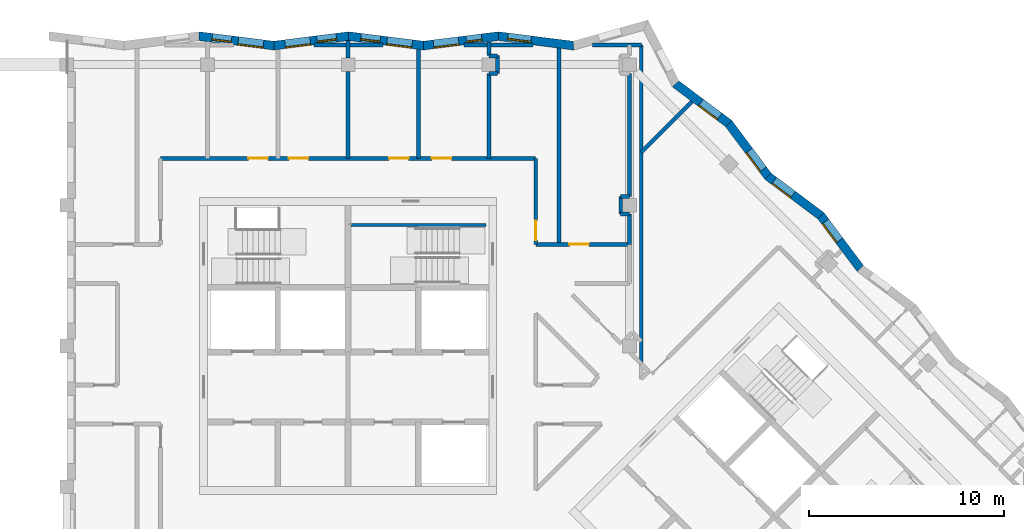
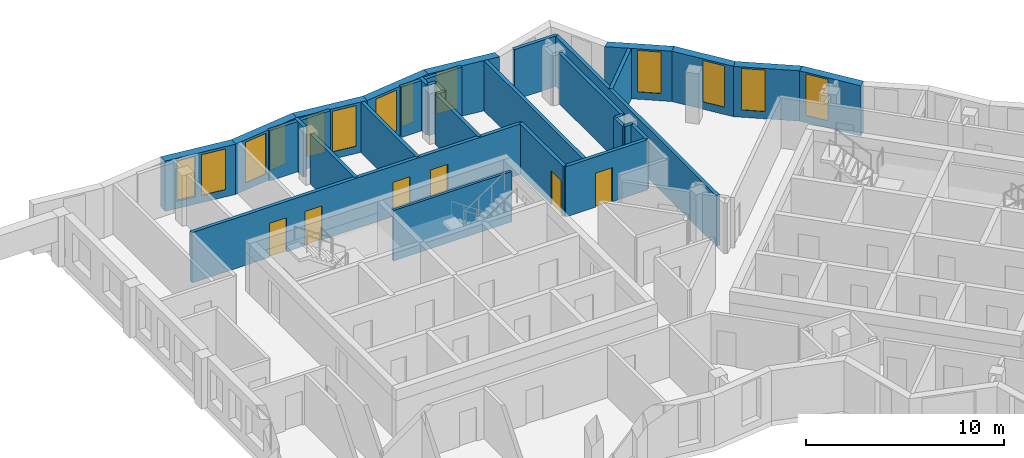
# One storey, part 6 of 13: 32 walls, 13 windows, 6 doors, 19 openings.
"""IFC4 building model written with IfcOpenShell, lengths in metres."""

import ifcopenshell
import ifcopenshell.guid

model = None  # the IFC model being written
_history = None  # IfcOwnerHistory: only IFC2X3 demands one
_inside = {}  # id of a spatial element -> (the spatial element, [elements in it])
_under = {}  # id of a project, library or spatial element -> (it, [spatial elements below it])
_declared = {}  # id of a project -> (the project, [libraries it declares])
_typed = {}  # id of a type object -> (the type object, [elements of that type])
_made_of = {}  # id of a material, layer set ... -> (it, [elements and type objects made of it])


def new_model(schema):
    """Start an empty IFC model of exactly this schema.

    Asked for "IFC4X3", IfcOpenShell would pick the latest addendum, in which some entities
    have other attributes; the version numbers below select the first issue.
    IFC2X3 requires an IfcOwnerHistory on every rooted entity: one is made here for all.
    """
    global model, _history
    if schema == "IFC4X3":
        model = ifcopenshell.file(schema_version=(4, 3, 0, 0))
    else:
        model = ifcopenshell.file(schema=schema)
    _inside.clear()
    _under.clear()
    _declared.clear()
    _typed.clear()
    _made_of.clear()
    _history = None
    if model.schema == "IFC2X3":
        org = make("IfcOrganization", Name="unknown")
        user = make(
            "IfcPersonAndOrganization",
            ThePerson=make("IfcPerson", FamilyName="unknown"),
            TheOrganization=org,
        )
        app = make(
            "IfcApplication",
            ApplicationDeveloper=org,
            Version="unknown",
            ApplicationFullName="unknown",
            ApplicationIdentifier="unknown",
        )
        _history = make(
            "IfcOwnerHistory",
            OwningUser=user,
            OwningApplication=app,
            ChangeAction="ADDED",
            CreationDate=0,
        )
    return model


def make(cls, **values):
    """One entity of the class cls with the attributes given. An attribute that is None is left unset."""
    return model.create_entity(
        cls, **{name: value for name, value in values.items() if value is not None}
    )


def rooted(cls, **values):
    """An entity with a GlobalId (a new one), such as an element, a storey or a relation."""
    return make(cls, GlobalId=ifcopenshell.guid.new(), OwnerHistory=_history, **values)


def si_unit(unit_type, name, prefix=None):
    """IfcSIUnit, for example si_unit("LENGTHUNIT", "METRE", prefix="MILLI")."""
    return make("IfcSIUnit", UnitType=unit_type, Prefix=prefix, Name=name)


def assignment(units):
    """IfcUnitAssignment: the units of a project."""
    return None if units is None else make("IfcUnitAssignment", Units=units)


def point(xyz):
    """IfcCartesianPoint."""
    return None if xyz is None else make("IfcCartesianPoint", Coordinates=xyz)


def direction(xyz):
    """IfcDirection."""
    return None if xyz is None else make("IfcDirection", DirectionRatios=xyz)


def frame(location, z_axis=None, x_axis=None):
    """IfcAxis2Placement3D, a coordinate frame: its origin and axes. An axis left out is left unset."""
    return make(
        "IfcAxis2Placement3D",
        Location=point(location),
        Axis=direction(z_axis),
        RefDirection=direction(x_axis),
    )


def frame_2d(location, x_axis=None):
    """IfcAxis2Placement2D, a coordinate frame in the plane: its origin and x axis."""
    return make(
        "IfcAxis2Placement2D", Location=point(location), RefDirection=direction(x_axis)
    )


def origin():
    """The frame at (0, 0, 0) with its axes left unset."""
    return frame((0.0, 0.0, 0.0))


def place(relative_to, where):
    """IfcLocalPlacement: puts the frame where relative to a parent placement (None: the world)."""
    return make(
        "IfcLocalPlacement", PlacementRelTo=relative_to, RelativePlacement=where
    )


def context(
    kind, dimensions, precision=None, world=None, true_north=None, identifier=None
):
    """IfcGeometricRepresentationContext, for example the 3D "Model" context."""
    return make(
        "IfcGeometricRepresentationContext",
        ContextIdentifier=identifier,
        ContextType=kind,
        CoordinateSpaceDimension=dimensions,
        Precision=precision,
        WorldCoordinateSystem=world,
        TrueNorth=true_north,
    )


def subcontext(parent, identifier, kind, view, scale=None):
    """IfcGeometricRepresentationSubContext, for example "Body" below "Model"."""
    return make(
        "IfcGeometricRepresentationSubContext",
        ContextIdentifier=identifier,
        ContextType=kind,
        ParentContext=parent,
        TargetScale=scale,
        TargetView=view,
    )


def project(units=None, contexts=None):
    """IfcProject with its units and contexts."""
    return rooted(
        "IfcProject",
        Name="project",
        RepresentationContexts=contexts,
        UnitsInContext=assignment(units),
    )


def spatial(cls, under=None, at=None, **own):
    """A site, building, storey or space (cls), placed at a placement, below another one or the project."""
    s = rooted(cls, ObjectPlacement=at, **own)
    if under is not None:
        _under.setdefault(under.id(), (under, []))[1].append(s)
    return s


def polyline(points):
    """IfcPolyline through the points."""
    return make("IfcPolyline", Points=[point(p) for p in points])


def profile(cls, at=None, kind="AREA", **sizes):
    """A parametric profile (cls). Its sizes go by their IFC names, for example OverallWidth=200.0."""
    return make(cls, ProfileType=kind, Position=at, **sizes)


def rectangle(**sizes):
    """IfcRectangleProfileDef."""
    return profile("IfcRectangleProfileDef", **sizes)


def outline(outer, holes=None, kind="AREA"):
    """IfcArbitraryClosedProfileDef: a profile drawn as a closed curve; with holes, ...WithVoids."""
    if holes is None:
        return make("IfcArbitraryClosedProfileDef", ProfileType=kind, OuterCurve=outer)
    return make(
        "IfcArbitraryProfileDefWithVoids",
        ProfileType=kind,
        OuterCurve=outer,
        InnerCurves=holes,
    )


def extrude(swept, where, along, depth):
    """IfcExtrudedAreaSolid: the profile swept, set in the frame where, extruded along a direction by depth."""
    return make(
        "IfcExtrudedAreaSolid",
        SweptArea=swept,
        Position=where,
        ExtrudedDirection=direction(along),
        Depth=depth,
    )


def shape(context_of_items, identifier, shape_type, items):
    """IfcShapeRepresentation: the items that make up one representation, for example the "Body"."""
    return make(
        "IfcShapeRepresentation",
        ContextOfItems=context_of_items,
        RepresentationIdentifier=identifier,
        RepresentationType=shape_type,
        Items=items,
    )


def material(Name=None, Category=None):
    """IfcMaterial."""
    return make("IfcMaterial", Name=Name, Category=Category)


def layer(
    of_material, thickness, ventilated=None, Name=None, Category=None, Priority=None
):
    """IfcMaterialLayer: one layer of a wall or slab, of a material (None: an air gap)."""
    return make(
        "IfcMaterialLayer",
        Material=of_material,
        LayerThickness=thickness,
        IsVentilated=ventilated,
        Name=Name,
        Category=Category,
        Priority=Priority,
    )


def layer_set(layers, Name=None):
    """IfcMaterialLayerSet."""
    return make("IfcMaterialLayerSet", MaterialLayers=layers, LayerSetName=Name)


def made_of(thing, what):
    """Note that an element or type object is made of a material, layer set ...; save() writes the relation."""
    if what is not None:
        _made_of.setdefault(what.id(), (what, []))[1].append(thing)
    return thing


def type_object(cls, material=None, **own):
    """A type object (cls), such as IfcWallType, which elements share."""
    return made_of(rooted(cls, **own), material)


def element(
    cls,
    number,
    at=None,
    inside=None,
    cuts=None,
    type_object=None,
    material=None,
    context=None,
    identifier="Body",
    shape_type=None,
    held_by="IfcProductDefinitionShape",
    body=None,
    shapes=None,
    **own,
):
    """One element of the class cls, such as IfcWall. Its Tag is "e" and its number.

    at: its placement. inside: the storey or other place that contains it. cuts: it is an
    opening in that element (IfcRelVoidsElement). A single representation is given by context,
    identifier, shape_type and body (its items); several are given by shapes. held_by: the class
    of the entity that holds the representations. save() writes the other relations.
    """
    e = rooted(cls, Tag="e%d" % number, ObjectPlacement=at, **own)
    if body is not None:
        shapes = [shape(context, identifier, shape_type, body)]
    if shapes is not None:
        e.Representation = make(held_by, Representations=shapes)
    if inside is not None:
        _inside.setdefault(inside.id(), (inside, []))[1].append(e)
    if cuts is not None:
        rooted(
            "IfcRelVoidsElement", RelatingBuildingElement=cuts, RelatedOpeningElement=e
        )
    if type_object is not None:
        _typed.setdefault(type_object.id(), (type_object, []))[1].append(e)
    return made_of(e, material)


def fill(opening, filler):
    """IfcRelFillsElement: the door or window that sits in an opening."""
    return rooted(
        "IfcRelFillsElement",
        RelatingOpeningElement=opening,
        RelatedBuildingElement=filler,
    )


def aggregate(whole, parts):
    """IfcRelAggregates: a whole, such as a stair, and the parts it consists of."""
    return rooted("IfcRelAggregates", RelatingObject=whole, RelatedObjects=parts)


def save(model, path):
    """Write the relations noted so far, then the file.

    IfcRelAggregates (storeys below a building ...), IfcRelContainedInSpatialStructure (elements
    in a storey), IfcRelDefinesByType, IfcRelAssociatesMaterial and IfcRelDeclares: one each for
    every whole, place, type object, material and project.
    """
    for whole, parts in _under.values():
        aggregate(whole, parts)
    for where, things in _inside.values():
        rooted(
            "IfcRelContainedInSpatialStructure",
            RelatedElements=things,
            RelatingStructure=where,
        )
    for kind, things in _typed.values():
        rooted("IfcRelDefinesByType", RelatedObjects=things, RelatingType=kind)
    for what, things in _made_of.values():
        rooted("IfcRelAssociatesMaterial", RelatedObjects=things, RelatingMaterial=what)
    for by, libraries in _declared.values():
        rooted("IfcRelDeclares", RelatingContext=by, RelatedDefinitions=libraries)
    model.write(path)


model = new_model("IFC4")

# Units and contexts
model_context = context("Model", 3, precision=1e-05, world=origin(), true_north=direction((0.0, 1.0)))
body_context = subcontext(model_context, "Body", "Model", "MODEL_VIEW")
ifc_project = project(units=[si_unit("LENGTHUNIT", "METRE"), si_unit("AREAUNIT", "SQUARE_METRE"), si_unit("VOLUMEUNIT", "CUBIC_METRE"), si_unit("PLANEANGLEUNIT", "RADIAN"), si_unit("MASSUNIT", "GRAM", prefix="KILO")], contexts=[model_context])

# Site, building, storey
site_placement = place(None, origin())
site = spatial("IfcSite", under=ifc_project, at=site_placement, CompositionType="ELEMENT")
building_placement = place(site_placement, origin())
building = spatial("IfcBuilding", under=site, at=building_placement, Name="Windrow Commons", CompositionType="ELEMENT")
storey_placement = place(building_placement, frame((0.0, 0.0, 264.2)))
storey = spatial("IfcBuildingStorey", under=building, at=storey_placement, Name="L72", CompositionType="ELEMENT", Elevation=264.2)

# Wall, opening, window
ifc_material_1 = material(Name="Brick masonry, red clay brick", Category="masonry")
ifc_layer_1 = layer(ifc_material_1, 0.45)
ifc_layer_set_1 = layer_set([ifc_layer_1], Name="Brick facade wall 450")
wall_type_1 = type_object("IfcWallType", Name="Brick facade wall 450", PredefinedType="SOLIDWALL", material=ifc_layer_set_1)
wall_1_placement = place(storey_placement, frame((91.0087, 61.5669, 0.0), z_axis=(0.0, 0.0, 1.0), x_axis=(-0.598678943, 0.8009890906, 0.0)))
wall_1 = element("IfcWall", 1, at=wall_1_placement, inside=storey, type_object=wall_type_1, Name="Brick facade wall L72 12", PredefinedType="SOLIDWALL", context=body_context, shape_type="SweptSolid", body=[
    extrude(outline(polyline([(0.0325, -0.225), (3.4017, -0.225), (3.3367, 0.225), (-0.0325, 0.225), (0.0325, -0.225)])), origin(), (0.0, 0.0, 1.0), 3.1),
])
opening_1_placement = place(wall_1_placement, frame((1.7889, 0.0, 0.45)))
opening_1 = element("IfcOpeningElement", 2, at=opening_1_placement, cuts=wall_1, Name="Opening W7F", PredefinedType="OPENING", context=body_context, shape_type="SweptSolid", body=[
    extrude(rectangle(XDim=1.2, YDim=2.55, at=frame_2d((0.6, 1.275))), frame((0.0, 0.235, 0.0), z_axis=(0.0, -1.0, 0.0), x_axis=(1.0, 0.0, 0.0)), (0.0, 0.0, 1.0), 0.47),
])
ifc_material_2 = material(Name="Clear float glass in anodised aluminium frame", Category="aluminium")
window_type_1 = type_object("IfcWindowType", Name="Window W7 notch 1200x2550", PartitioningType="SINGLE_PANEL", PredefinedType="WINDOW", material=ifc_material_2)
window_1_placement = place(opening_1_placement, origin())
window_1 = element("IfcWindow", 3, at=window_1_placement, inside=storey, type_object=window_type_1, Name="Window L72 12.1", OverallHeight=2.55, OverallWidth=1.2, PartitioningType="SINGLE_PANEL", PredefinedType="WINDOW", context=body_context, shape_type="SweptSolid", body=[
    extrude(rectangle(XDim=1.2, YDim=2.55, at=frame_2d((0.6, 1.275))), frame((0.0, 0.205, 0.0), z_axis=(0.0, -1.0, 0.0), x_axis=(1.0, 0.0, 0.0)), (0.0, 0.0, 1.0), 0.06),
])
fill(opening_1, window_1)

wall_2_placement = place(storey_placement, frame((88.9917, 64.2655, 0.0), z_axis=(0.0, 0.0, 1.0), x_axis=(-0.8009854957, 0.5986837527, 0.0)))
wall_2 = element("IfcWall", 4, at=wall_2_placement, inside=storey, type_object=wall_type_1, Name="Brick facade wall L72 13", PredefinedType="SOLIDWALL", context=body_context, shape_type="SweptSolid", body=[
    extrude(outline(polyline([(-0.0325, -0.225), (3.3367, -0.225), (3.4017, 0.225), (0.0325, 0.225), (-0.0325, -0.225)])), origin(), (0.0, 0.0, 1.0), 3.1),
])
opening_2_placement = place(wall_2_placement, frame((1.7893, 0.0, 0.45)))
opening_2 = element("IfcOpeningElement", 5, at=opening_2_placement, cuts=wall_2, Name="Opening W7F", PredefinedType="OPENING", context=body_context, shape_type="SweptSolid", body=[
    extrude(rectangle(XDim=1.2, YDim=2.55, at=frame_2d((0.6, 1.275))), frame((0.0, 0.235, 0.0), z_axis=(0.0, -1.0, 0.0), x_axis=(1.0, 0.0, 0.0)), (0.0, 0.0, 1.0), 0.47),
])
window_2_placement = place(opening_2_placement, origin())
window_2 = element("IfcWindow", 6, at=window_2_placement, inside=storey, type_object=window_type_1, Name="Window L72 13.1", OverallHeight=2.55, OverallWidth=1.2, PartitioningType="SINGLE_PANEL", PredefinedType="WINDOW", context=body_context, shape_type="SweptSolid", body=[
    extrude(rectangle(XDim=1.2, YDim=2.55, at=frame_2d((0.6, 1.275))), frame((0.0, 0.205, 0.0), z_axis=(0.0, -1.0, 0.0), x_axis=(1.0, 0.0, 0.0)), (0.0, 0.0, 1.0), 0.06),
])
fill(opening_2, window_2)

wall_3_placement = place(storey_placement, frame((86.293, 66.2826, 0.0), z_axis=(0.0, 0.0, 1.0), x_axis=(-0.5986647099, 0.8009997286, 0.0)))
wall_3 = element("IfcWall", 7, at=wall_3_placement, inside=storey, type_object=wall_type_1, Name="Brick facade wall L72 14", PredefinedType="SOLIDWALL", context=body_context, shape_type="SweptSolid", body=[
    extrude(outline(polyline([(0.0325, -0.225), (3.4017, -0.225), (3.3367, 0.225), (-0.0325, 0.225), (0.0325, -0.225)])), origin(), (0.0, 0.0, 1.0), 3.1),
])
opening_3_placement = place(wall_3_placement, frame((0.4388, 0.0, 0.45)))
opening_3 = element("IfcOpeningElement", 8, at=opening_3_placement, cuts=wall_3, Name="Opening W7F", PredefinedType="OPENING", context=body_context, shape_type="SweptSolid", body=[
    extrude(rectangle(XDim=1.2, YDim=2.55, at=frame_2d((0.6, 1.275))), frame((0.0, 0.235, 0.0), z_axis=(0.0, -1.0, 0.0), x_axis=(1.0, 0.0, 0.0)), (0.0, 0.0, 1.0), 0.47),
])
window_3_placement = place(opening_3_placement, origin())
window_3 = element("IfcWindow", 9, at=window_3_placement, inside=storey, type_object=window_type_1, Name="Window L72 14.1", OverallHeight=2.55, OverallWidth=1.2, PartitioningType="SINGLE_PANEL", PredefinedType="WINDOW", context=body_context, shape_type="SweptSolid", body=[
    extrude(rectangle(XDim=1.2, YDim=2.55, at=frame_2d((0.6, 1.275))), frame((0.0, 0.205, 0.0), z_axis=(0.0, -1.0, 0.0), x_axis=(1.0, 0.0, 0.0)), (0.0, 0.0, 1.0), 0.06),
])
fill(opening_3, window_3)

wall_4_placement = place(storey_placement, frame((84.276, 68.9813, 0.0), z_axis=(0.0, 0.0, 1.0), x_axis=(-0.8009974095, 0.5986678127, 0.0)))
wall_4 = element("IfcWall", 10, at=wall_4_placement, inside=storey, type_object=wall_type_1, Name="Brick facade wall L72 15", PredefinedType="SOLIDWALL", context=body_context, shape_type="SweptSolid", body=[
    extrude(outline(polyline([(-0.0325, -0.225), (3.3367, -0.225), (3.4414, 0.225), (0.0325, 0.225), (-0.0325, -0.225)])), origin(), (0.0, 0.0, 1.0), 3.1),
])
opening_4_placement = place(wall_4_placement, frame((0.5892, 0.0, 0.45)))
opening_4 = element("IfcOpeningElement", 11, at=opening_4_placement, cuts=wall_4, Name="Opening W7F", PredefinedType="OPENING", context=body_context, shape_type="SweptSolid", body=[
    extrude(rectangle(XDim=1.2, YDim=2.55, at=frame_2d((0.6, 1.275))), frame((0.0, 0.235, 0.0), z_axis=(0.0, -1.0, 0.0), x_axis=(1.0, 0.0, 0.0)), (0.0, 0.0, 1.0), 0.47),
])
window_4_placement = place(opening_4_placement, origin())
window_4 = element("IfcWindow", 12, at=window_4_placement, inside=storey, type_object=window_type_1, Name="Window L72 15.1", OverallHeight=2.55, OverallWidth=1.2, PartitioningType="SINGLE_PANEL", PredefinedType="WINDOW", context=body_context, shape_type="SweptSolid", body=[
    extrude(rectangle(XDim=1.2, YDim=2.55, at=frame_2d((0.6, 1.275))), frame((0.0, 0.205, 0.0), z_axis=(0.0, -1.0, 0.0), x_axis=(1.0, 0.0, 0.0)), (0.0, 0.0, 1.0), 0.06),
])
fill(opening_4, window_4)

wall_5_placement = place(storey_placement, frame((76.332, 72.9711, 0.0), z_axis=(0.0, 0.0, 1.0), x_axis=(-0.9921783841, 0.1248280981, 0.0)))
wall_5 = element("IfcWall", 13, at=wall_5_placement, inside=storey, type_object=wall_type_1, Name="Brick facade wall L72 18", PredefinedType="SOLIDWALL", context=body_context, shape_type="SweptSolid", body=[
    extrude(outline(polyline([(0.0457, -0.225), (3.9064, -0.225), (3.8498, 0.225), (-0.0457, 0.225), (0.0457, -0.225)])), origin(), (0.0, 0.0, 1.0), 3.1),
])
opening_5_placement = place(wall_5_placement, frame((2.1938, 0.0, 0.45)))
opening_5 = element("IfcOpeningElement", 14, at=opening_5_placement, cuts=wall_5, Name="Opening W7F", PredefinedType="OPENING", context=body_context, shape_type="SweptSolid", body=[
    extrude(rectangle(XDim=1.2, YDim=2.55, at=frame_2d((0.6, 1.275))), frame((0.0, 0.235, 0.0), z_axis=(0.0, -1.0, 0.0), x_axis=(1.0, 0.0, 0.0)), (0.0, 0.0, 1.0), 0.47),
])
window_5_placement = place(opening_5_placement, origin())
window_5 = element("IfcWindow", 15, at=window_5_placement, inside=storey, type_object=window_type_1, Name="Window L72 18.1", OverallHeight=2.55, OverallWidth=1.2, PartitioningType="SINGLE_PANEL", PredefinedType="WINDOW", context=body_context, shape_type="SweptSolid", body=[
    extrude(rectangle(XDim=1.2, YDim=2.55, at=frame_2d((0.6, 1.275))), frame((0.0, 0.115, 0.0), z_axis=(0.0, -1.0, 0.0), x_axis=(1.0, 0.0, 0.0)), (0.0, 0.0, 1.0), 0.06),
])
fill(opening_5, window_5)

# Wall, openings, windows
wall_6_placement = place(storey_placement, frame((72.4842, 73.4552, 0.0), z_axis=(0.0, 0.0, 1.0), x_axis=(-0.9921759282, -0.1248476171, 0.0)))
wall_6 = element("IfcWall", 16, at=wall_6_placement, inside=storey, type_object=wall_type_1, Name="Brick facade wall L72 19", PredefinedType="SOLIDWALL", context=body_context, shape_type="SweptSolid", body=[
    extrude(outline(polyline([(-0.0283, -0.225), (3.8324, -0.225), (3.889, 0.225), (0.0283, 0.225), (-0.0283, -0.225)])), origin(), (0.0, 0.0, 1.0), 3.1),
])
opening_6_placement = place(wall_6_placement, frame((2.0415, 0.0, 0.45)))
opening_6 = element("IfcOpeningElement", 17, at=opening_6_placement, cuts=wall_6, Name="Opening W1Q", PredefinedType="OPENING", context=body_context, shape_type="SweptSolid", body=[
    extrude(rectangle(XDim=1.3, YDim=2.5, at=frame_2d((0.65, 1.25))), frame((0.0, 0.235, 0.0), z_axis=(0.0, -1.0, 0.0), x_axis=(1.0, 0.0, 0.0)), (0.0, 0.0, 1.0), 0.47),
])
opening_7_placement = place(wall_6_placement, frame((0.8487, 0.0, 0.45)))
opening_7 = element("IfcOpeningElement", 18, at=opening_7_placement, cuts=wall_6, Name="Opening W1N", PredefinedType="OPENING", context=body_context, shape_type="SweptSolid", body=[
    extrude(rectangle(XDim=0.8, YDim=2.5, at=frame_2d((0.4, 1.25))), frame((0.0, 0.235, 0.0), z_axis=(0.0, -1.0, 0.0), x_axis=(1.0, 0.0, 0.0)), (0.0, 0.0, 1.0), 0.47),
])
ifc_material_3 = material(Name="Clear float glass in anodised aluminium frame", Category="aluminium")
window_type_2 = type_object("IfcWindowType", Name="Window W1N slit 800x2500", PartitioningType="SINGLE_PANEL", PredefinedType="WINDOW", material=ifc_material_3)
window_6_placement = place(opening_7_placement, origin())
window_6 = element("IfcWindow", 19, at=window_6_placement, inside=storey, type_object=window_type_2, Name="Window L72 19.1AA", OverallHeight=2.5, OverallWidth=0.8, PartitioningType="SINGLE_PANEL", PredefinedType="WINDOW", context=body_context, shape_type="SweptSolid", body=[
    extrude(rectangle(XDim=0.8, YDim=2.5, at=frame_2d((0.4, 1.25))), frame((0.0, 0.115, 0.0), z_axis=(0.0, -1.0, 0.0), x_axis=(1.0, 0.0, 0.0)), (0.0, 0.0, 1.0), 0.06),
])
fill(opening_7, window_6)
ifc_material_4 = material(Name="Clear float glass in anodised aluminium frame", Category="aluminium")
window_type_3 = type_object("IfcWindowType", Name="Window W1Q pair 1300x2500", PartitioningType="SINGLE_PANEL", PredefinedType="WINDOW", material=ifc_material_4)
window_7_placement = place(opening_6_placement, origin())
window_7 = element("IfcWindow", 20, at=window_7_placement, inside=storey, type_object=window_type_3, Name="Window L72 19.1B", OverallHeight=2.5, OverallWidth=1.3, PartitioningType="SINGLE_PANEL", PredefinedType="WINDOW", context=body_context, shape_type="SweptSolid", body=[
    extrude(rectangle(XDim=1.3, YDim=2.5, at=frame_2d((0.65, 1.25))), frame((0.0, 0.205, 0.0), z_axis=(0.0, -1.0, 0.0), x_axis=(1.0, 0.0, 0.0)), (0.0, 0.0, 1.0), 0.06),
])
fill(opening_6, window_7)

wall_7_placement = place(storey_placement, frame((68.6537, 72.9732, 0.0), z_axis=(0.0, 0.0, 1.0), x_axis=(-0.9921759282, 0.1248476171, 0.0)))
wall_7 = element("IfcWall", 21, at=wall_7_placement, inside=storey, type_object=wall_type_1, Name="Brick facade wall L72 20", PredefinedType="SOLIDWALL", context=body_context, shape_type="SweptSolid", body=[
    extrude(outline(polyline([(0.0283, -0.225), (3.889, -0.225), (3.8324, 0.225), (-0.0283, 0.225), (0.0283, -0.225)])), origin(), (0.0, 0.0, 1.0), 3.1),
])
opening_8_placement = place(wall_7_placement, frame((0.5842, 0.0, 0.45)))
opening_8 = element("IfcOpeningElement", 22, at=opening_8_placement, cuts=wall_7, Name="Opening W1Q", PredefinedType="OPENING", context=body_context, shape_type="SweptSolid", body=[
    extrude(rectangle(XDim=1.3, YDim=2.5, at=frame_2d((0.65, 1.25))), frame((0.0, 0.235, 0.0), z_axis=(0.0, -1.0, 0.0), x_axis=(1.0, 0.0, 0.0)), (0.0, 0.0, 1.0), 0.47),
])
opening_9_placement = place(wall_7_placement, frame((2.2342, 0.0, 0.45)))
opening_9 = element("IfcOpeningElement", 23, at=opening_9_placement, cuts=wall_7, Name="Opening W1S", PredefinedType="OPENING", context=body_context, shape_type="SweptSolid", body=[
    extrude(rectangle(XDim=1.0, YDim=2.5, at=frame_2d((0.5, 1.25))), frame((0.0, 0.235, 0.0), z_axis=(0.0, -1.0, 0.0), x_axis=(1.0, 0.0, 0.0)), (0.0, 0.0, 1.0), 0.47),
])
window_8_placement = place(opening_8_placement, origin())
window_8 = element("IfcWindow", 24, at=window_8_placement, inside=storey, type_object=window_type_3, Name="Window L72 20.1A", OverallHeight=2.5, OverallWidth=1.3, PartitioningType="SINGLE_PANEL", PredefinedType="WINDOW", context=body_context, shape_type="SweptSolid", body=[
    extrude(rectangle(XDim=1.3, YDim=2.5, at=frame_2d((0.65, 1.25))), frame((0.0, 0.205, 0.0), z_axis=(0.0, -1.0, 0.0), x_axis=(1.0, 0.0, 0.0)), (0.0, 0.0, 1.0), 0.06),
])
fill(opening_8, window_8)
ifc_material_5 = material(Name="Clear float glass in anodised aluminium frame", Category="aluminium")
window_type_4 = type_object("IfcWindowType", Name="Window W1S slit 1000x2500", PartitioningType="SINGLE_PANEL", PredefinedType="WINDOW", material=ifc_material_5)
window_9_placement = place(opening_9_placement, origin())
window_9 = element("IfcWindow", 25, at=window_9_placement, inside=storey, type_object=window_type_4, Name="Window L72 20.1B", OverallHeight=2.5, OverallWidth=1.0, PartitioningType="SINGLE_PANEL", PredefinedType="WINDOW", context=body_context, shape_type="SweptSolid", body=[
    extrude(rectangle(XDim=1.0, YDim=2.5, at=frame_2d((0.5, 1.25))), frame((0.0, 0.115, 0.0), z_axis=(0.0, -1.0, 0.0), x_axis=(1.0, 0.0, 0.0)), (0.0, 0.0, 1.0), 0.06),
])
fill(opening_9, window_9)

wall_8_placement = place(storey_placement, frame((64.8232, 73.4552, 0.0), z_axis=(0.0, 0.0, 1.0), x_axis=(-0.9921759282, -0.1248476171, 0.0)))
wall_8 = element("IfcWall", 26, at=wall_8_placement, inside=storey, type_object=wall_type_1, Name="Brick facade wall L72 21", PredefinedType="SOLIDWALL", context=body_context, shape_type="SweptSolid", body=[
    extrude(outline(polyline([(-0.0283, -0.225), (3.8324, -0.225), (3.889, 0.225), (0.0283, 0.225), (-0.0283, -0.225)])), origin(), (0.0, 0.0, 1.0), 3.1),
])
opening_10_placement = place(wall_8_placement, frame((0.6265, 0.0, 0.45)))
opening_10 = element("IfcOpeningElement", 27, at=opening_10_placement, cuts=wall_8, Name="Opening W1S", PredefinedType="OPENING", context=body_context, shape_type="SweptSolid", body=[
    extrude(rectangle(XDim=1.0, YDim=2.5, at=frame_2d((0.5, 1.25))), frame((0.0, 0.235, 0.0), z_axis=(0.0, -1.0, 0.0), x_axis=(1.0, 0.0, 0.0)), (0.0, 0.0, 1.0), 0.47),
])
opening_11_placement = place(wall_8_placement, frame((1.9765, 0.0, 0.45)))
opening_11 = element("IfcOpeningElement", 28, at=opening_11_placement, cuts=wall_8, Name="Opening W1Q", PredefinedType="OPENING", context=body_context, shape_type="SweptSolid", body=[
    extrude(rectangle(XDim=1.3, YDim=2.5, at=frame_2d((0.65, 1.25))), frame((0.0, 0.235, 0.0), z_axis=(0.0, -1.0, 0.0), x_axis=(1.0, 0.0, 0.0)), (0.0, 0.0, 1.0), 0.47),
])
window_10_placement = place(opening_11_placement, origin())
window_10 = element("IfcWindow", 29, at=window_10_placement, inside=storey, type_object=window_type_3, Name="Window L72 21.1B", OverallHeight=2.5, OverallWidth=1.3, PartitioningType="SINGLE_PANEL", PredefinedType="WINDOW", context=body_context, shape_type="SweptSolid", body=[
    extrude(rectangle(XDim=1.3, YDim=2.5, at=frame_2d((0.65, 1.25))), frame((0.0, 0.205, 0.0), z_axis=(0.0, -1.0, 0.0), x_axis=(1.0, 0.0, 0.0)), (0.0, 0.0, 1.0), 0.06),
])
fill(opening_11, window_10)
window_11_placement = place(opening_10_placement, origin())
window_11 = element("IfcWindow", 30, at=window_11_placement, inside=storey, type_object=window_type_4, Name="Window L72 21.1A", OverallHeight=2.5, OverallWidth=1.0, PartitioningType="SINGLE_PANEL", PredefinedType="WINDOW", context=body_context, shape_type="SweptSolid", body=[
    extrude(rectangle(XDim=1.0, YDim=2.5, at=frame_2d((0.5, 1.25))), frame((0.0, 0.115, 0.0), z_axis=(0.0, -1.0, 0.0), x_axis=(1.0, 0.0, 0.0)), (0.0, 0.0, 1.0), 0.06),
])
fill(opening_10, window_11)

wall_9_placement = place(storey_placement, frame((60.9927, 72.9732, 0.0), z_axis=(0.0, 0.0, 1.0), x_axis=(-0.9921759282, 0.1248476171, 0.0)))
wall_9 = element("IfcWall", 31, at=wall_9_placement, inside=storey, type_object=wall_type_1, Name="Brick facade wall L72 22", PredefinedType="SOLIDWALL", context=body_context, shape_type="SweptSolid", body=[
    extrude(outline(polyline([(0.0283, -0.225), (3.889, -0.225), (3.8324, 0.225), (-0.0283, 0.225), (0.0283, -0.225)])), origin(), (0.0, 0.0, 1.0), 3.1),
])
opening_12_placement = place(wall_9_placement, frame((0.5309, 0.0, 0.45)))
opening_12 = element("IfcOpeningElement", 32, at=opening_12_placement, cuts=wall_9, Name="Opening W1Q", PredefinedType="OPENING", context=body_context, shape_type="SweptSolid", body=[
    extrude(rectangle(XDim=1.3, YDim=2.5, at=frame_2d((0.65, 1.25))), frame((0.0, 0.235, 0.0), z_axis=(0.0, -1.0, 0.0), x_axis=(1.0, 0.0, 0.0)), (0.0, 0.0, 1.0), 0.47),
])
opening_13_placement = place(wall_9_placement, frame((2.1809, 0.0, 0.45)))
opening_13 = element("IfcOpeningElement", 33, at=opening_13_placement, cuts=wall_9, Name="Opening W1S", PredefinedType="OPENING", context=body_context, shape_type="SweptSolid", body=[
    extrude(rectangle(XDim=1.0, YDim=2.5, at=frame_2d((0.5, 1.25))), frame((0.0, 0.235, 0.0), z_axis=(0.0, -1.0, 0.0), x_axis=(1.0, 0.0, 0.0)), (0.0, 0.0, 1.0), 0.47),
])
window_12_placement = place(opening_12_placement, origin())
window_12 = element("IfcWindow", 34, at=window_12_placement, inside=storey, type_object=window_type_3, Name="Window L72 22.1A", OverallHeight=2.5, OverallWidth=1.3, PartitioningType="SINGLE_PANEL", PredefinedType="WINDOW", context=body_context, shape_type="SweptSolid", body=[
    extrude(rectangle(XDim=1.3, YDim=2.5, at=frame_2d((0.65, 1.25))), frame((0.0, 0.205, 0.0), z_axis=(0.0, -1.0, 0.0), x_axis=(1.0, 0.0, 0.0)), (0.0, 0.0, 1.0), 0.06),
])
fill(opening_12, window_12)
window_13_placement = place(opening_13_placement, origin())
window_13 = element("IfcWindow", 35, at=window_13_placement, inside=storey, type_object=window_type_4, Name="Window L72 22.1B", OverallHeight=2.5, OverallWidth=1.0, PartitioningType="SINGLE_PANEL", PredefinedType="WINDOW", context=body_context, shape_type="SweptSolid", body=[
    extrude(rectangle(XDim=1.0, YDim=2.5, at=frame_2d((0.5, 1.25))), frame((0.0, 0.115, 0.0), z_axis=(0.0, -1.0, 0.0), x_axis=(1.0, 0.0, 0.0)), (0.0, 0.0, 1.0), 0.06),
])
fill(opening_13, window_13)

# Wall, openings, doors
ifc_material_6 = material(Name="Blockwork partition", Category="masonry")
ifc_layer_2 = layer(ifc_material_6, 0.2)
ifc_layer_set_2 = layer_set([ifc_layer_2], Name="IW-CORRIDOR-200")
wall_type_2 = type_object("IfcWallType", Name="IW-CORRIDOR-200", PredefinedType="PARTITIONING", material=ifc_layer_set_2)
wall_10_placement = place(storey_placement, frame((55.2, 67.2, 0.0), z_axis=(0.0, 0.0, 1.0), x_axis=(1.0, 0.0, 0.0)))
wall_10 = element("IfcWall", 36, at=wall_10_placement, inside=storey, type_object=wall_type_2, Name="W-L72-W000", PredefinedType="PARTITIONING", context=body_context, shape_type="SweptSolid", body=[
    extrude(rectangle(XDim=19.2, YDim=0.2, at=frame_2d((9.6, 0.0))), origin(), (0.0, 0.0, 1.0), 3.1),
])
opening_14_placement = place(wall_10_placement, frame((4.4925, 0.0, 0.0)))
opening_14 = element("IfcOpeningElement", 37, at=opening_14_placement, cuts=wall_10, Name="Opening D310F", PredefinedType="OPENING", context=body_context, shape_type="SweptSolid", body=[
    extrude(rectangle(XDim=1.0, YDim=2.1, at=frame_2d((0.5, 1.05))), frame((0.0, 0.11, 0.0), z_axis=(0.0, -1.0, 0.0), x_axis=(1.0, 0.0, 0.0)), (0.0, 0.0, 1.0), 0.22),
])
opening_15_placement = place(wall_10_placement, frame((6.5675, 0.0, 0.0)))
opening_15 = element("IfcOpeningElement", 38, at=opening_15_placement, cuts=wall_10, Name="Opening D310F", PredefinedType="OPENING", context=body_context, shape_type="SweptSolid", body=[
    extrude(rectangle(XDim=1.0, YDim=2.1, at=frame_2d((0.5, 1.05))), frame((0.0, 0.11, 0.0), z_axis=(0.0, -1.0, 0.0), x_axis=(1.0, 0.0, 0.0)), (0.0, 0.0, 1.0), 0.22),
])
opening_16_placement = place(wall_10_placement, frame((11.6925, 0.0, 0.0)))
opening_16 = element("IfcOpeningElement", 39, at=opening_16_placement, cuts=wall_10, Name="Opening D310F", PredefinedType="OPENING", context=body_context, shape_type="SweptSolid", body=[
    extrude(rectangle(XDim=1.0, YDim=2.1, at=frame_2d((0.5, 1.05))), frame((0.0, 0.11, 0.0), z_axis=(0.0, -1.0, 0.0), x_axis=(1.0, 0.0, 0.0)), (0.0, 0.0, 1.0), 0.22),
])
opening_17_placement = place(wall_10_placement, frame((13.88, 0.0, 0.0)))
opening_17 = element("IfcOpeningElement", 40, at=opening_17_placement, cuts=wall_10, Name="Opening D310F", PredefinedType="OPENING", context=body_context, shape_type="SweptSolid", body=[
    extrude(rectangle(XDim=1.0, YDim=2.1, at=frame_2d((0.5, 1.05))), frame((0.0, 0.11, 0.0), z_axis=(0.0, -1.0, 0.0), x_axis=(1.0, 0.0, 0.0)), (0.0, 0.0, 1.0), 0.22),
])
ifc_material_7 = material(Name="Timber door leaf", Category="wood")
door_type = type_object("IfcDoorType", Name="DT-AMENITY-1000", OperationType="SINGLE_SWING_LEFT", PredefinedType="DOOR", material=ifc_material_7)
door_1_placement = place(opening_14_placement, origin())
door_1 = element("IfcDoor", 41, at=door_1_placement, inside=storey, type_object=door_type, Name="D-L72-D013", OperationType="SINGLE_SWING_RIGHT", OverallHeight=2.1, OverallWidth=1.0, PredefinedType="DOOR", context=body_context, shape_type="SweptSolid", body=[
    extrude(rectangle(XDim=1.0, YDim=2.1, at=frame_2d((0.5, 1.05))), frame((0.0, 0.025, 0.0), z_axis=(0.0, -1.0, 0.0), x_axis=(1.0, 0.0, 0.0)), (0.0, 0.0, 1.0), 0.05),
])
fill(opening_14, door_1)
door_2_placement = place(opening_15_placement, origin())
door_2 = element("IfcDoor", 42, at=door_2_placement, inside=storey, type_object=door_type, Name="D-L72-D014", OperationType="SINGLE_SWING_LEFT", OverallHeight=2.1, OverallWidth=1.0, PredefinedType="DOOR", context=body_context, shape_type="SweptSolid", body=[
    extrude(rectangle(XDim=1.0, YDim=2.1, at=frame_2d((0.5, 1.05))), frame((0.0, 0.025, 0.0), z_axis=(0.0, -1.0, 0.0), x_axis=(1.0, 0.0, 0.0)), (0.0, 0.0, 1.0), 0.05),
])
fill(opening_15, door_2)
door_3_placement = place(opening_16_placement, origin())
door_3 = element("IfcDoor", 43, at=door_3_placement, inside=storey, type_object=door_type, Name="D-L72-D015", OperationType="SINGLE_SWING_RIGHT", OverallHeight=2.1, OverallWidth=1.0, PredefinedType="DOOR", context=body_context, shape_type="SweptSolid", body=[
    extrude(rectangle(XDim=1.0, YDim=2.1, at=frame_2d((0.5, 1.05))), frame((0.0, 0.025, 0.0), z_axis=(0.0, -1.0, 0.0), x_axis=(1.0, 0.0, 0.0)), (0.0, 0.0, 1.0), 0.05),
])
fill(opening_16, door_3)
door_4_placement = place(opening_17_placement, origin())
door_4 = element("IfcDoor", 44, at=door_4_placement, inside=storey, type_object=door_type, Name="D-L72-D016", OperationType="SINGLE_SWING_LEFT", OverallHeight=2.1, OverallWidth=1.0, PredefinedType="DOOR", context=body_context, shape_type="SweptSolid", body=[
    extrude(rectangle(XDim=1.0, YDim=2.1, at=frame_2d((0.5, 1.05))), frame((0.0, 0.025, 0.0), z_axis=(0.0, -1.0, 0.0), x_axis=(1.0, 0.0, 0.0)), (0.0, 0.0, 1.0), 0.05),
])
fill(opening_17, door_4)

# Wall, opening, door
wall_11_placement = place(storey_placement, frame((74.402, 62.8, 0.0), z_axis=(0.0, 0.0, 1.0), x_axis=(1.0, 0.0, 0.0)))
wall_11 = element("IfcWall", 45, at=wall_11_placement, inside=storey, type_object=wall_type_2, Name="W-L72-W025", PredefinedType="PARTITIONING", context=body_context, shape_type="SweptSolid", body=[
    extrude(rectangle(XDim=4.798, YDim=0.2, at=frame_2d((2.399, 0.0))), origin(), (0.0, 0.0, 1.0), 3.1),
])
opening_18_placement = place(wall_11_placement, frame((1.723, 0.0, 0.0)))
opening_18 = element("IfcOpeningElement", 46, at=opening_18_placement, cuts=wall_11, Name="Opening D310F", PredefinedType="OPENING", context=body_context, shape_type="SweptSolid", body=[
    extrude(rectangle(XDim=1.0, YDim=2.1, at=frame_2d((0.5, 1.05))), frame((0.0, 0.11, 0.0), z_axis=(0.0, -1.0, 0.0), x_axis=(1.0, 0.0, 0.0)), (0.0, 0.0, 1.0), 0.22),
])
door_5_placement = place(opening_18_placement, origin())
door_5 = element("IfcDoor", 47, at=door_5_placement, inside=storey, type_object=door_type, Name="D-L72-D012", OperationType="SINGLE_SWING_LEFT", OverallHeight=2.1, OverallWidth=1.0, PredefinedType="DOOR", context=body_context, shape_type="SweptSolid", body=[
    extrude(rectangle(XDim=1.0, YDim=2.1, at=frame_2d((0.5, 1.05))), frame((0.0, 0.025, 0.0), z_axis=(0.0, -1.0, 0.0), x_axis=(1.0, 0.0, 0.0)), (0.0, 0.0, 1.0), 0.05),
])
fill(opening_18, door_5)

wall_12_placement = place(storey_placement, frame((74.4, 62.802, 0.0), z_axis=(0.0, 0.0, 1.0), x_axis=(0.0, 1.0, 0.0)))
wall_12 = element("IfcWall", 48, at=wall_12_placement, inside=storey, type_object=wall_type_2, Name="W-L72-W034", PredefinedType="PARTITIONING", context=body_context, shape_type="SweptSolid", body=[
    extrude(rectangle(XDim=4.398, YDim=0.2, at=frame_2d((2.199, 0.0))), origin(), (0.0, 0.0, 1.0), 3.1),
])
opening_19_placement = place(wall_12_placement, frame((0.215, 0.0, 0.0)))
opening_19 = element("IfcOpeningElement", 49, at=opening_19_placement, cuts=wall_12, Name="Opening D310F", PredefinedType="OPENING", context=body_context, shape_type="SweptSolid", body=[
    extrude(rectangle(XDim=1.0, YDim=2.1, at=frame_2d((0.5, 1.05))), frame((0.0, 0.11, 0.0), z_axis=(0.0, -1.0, 0.0), x_axis=(1.0, 0.0, 0.0)), (0.0, 0.0, 1.0), 0.22),
])
door_6_placement = place(opening_19_placement, origin())
door_6 = element("IfcDoor", 50, at=door_6_placement, inside=storey, type_object=door_type, Name="D-L72-D011", OperationType="SINGLE_SWING_RIGHT", OverallHeight=2.1, OverallWidth=1.0, PredefinedType="DOOR", context=body_context, shape_type="SweptSolid", body=[
    extrude(rectangle(XDim=1.0, YDim=2.1, at=frame_2d((0.5, 1.05))), frame((0.0, 0.025, 0.0), z_axis=(0.0, -1.0, 0.0), x_axis=(1.0, 0.0, 0.0)), (0.0, 0.0, 1.0), 0.05),
])
fill(opening_19, door_6)

# Walls
ifc_material_8 = material(Name="Blockwork partition", Category="masonry")
ifc_layer_3 = layer(ifc_material_8, 0.2)
ifc_layer_set_3 = layer_set([ifc_layer_3], Name="IW-PARTY-200")
wall_type_3 = type_object("IfcWallType", Name="IW-PARTY-200", PredefinedType="PARTITIONING", material=ifc_layer_set_3)
wall_13_placement = place(storey_placement, frame((79.8, 56.692, 0.0), z_axis=(0.0, 0.0, 1.0), x_axis=(0.0, 1.0, 0.0)))
element("IfcWall", 51, at=wall_13_placement, inside=storey, type_object=wall_type_3, Name="W-L72-W002", PredefinedType="PARTITIONING", context=body_context, shape_type="SweptSolid", body=[
    extrude(rectangle(XDim=16.308, YDim=0.2, at=frame_2d((8.154, 0.0))), origin(), (0.0, 0.0, 1.0), 3.1),
])
wall_14_placement = place(storey_placement, frame((75.6, 62.8, 0.0), z_axis=(0.0, 0.0, 1.0), x_axis=(0.0, 1.0, 0.0)))
element("IfcWall", 52, at=wall_14_placement, inside=storey, type_object=wall_type_3, Name="W-L72-W005", PredefinedType="PARTITIONING", context=body_context, shape_type="SweptSolid", body=[
    extrude(rectangle(XDim=10.0364, YDim=0.2, at=frame_2d((5.0182, 0.0))), origin(), (0.0, 0.0, 1.0), 3.1),
])
wall_15_placement = place(storey_placement, frame((79.2, 65.254, 0.0), z_axis=(0.0, 0.0, 1.0), x_axis=(0.0, 1.0, 0.0)))
element("IfcWall", 53, at=wall_15_placement, inside=storey, type_object=wall_type_3, Name="W-L72-W013", PredefinedType="PARTITIONING", context=body_context, shape_type="SweptSolid", body=[
    extrude(rectangle(XDim=6.292, YDim=0.2, at=frame_2d((3.146, 0.0))), origin(), (0.0, 0.0, 1.0), 3.1),
])
wall_16_placement = place(storey_placement, frame((68.4, 67.2, 0.0), z_axis=(0.0, 0.0, 1.0), x_axis=(0.0, 1.0, 0.0)))
element("IfcWall", 54, at=wall_16_placement, inside=storey, type_object=wall_type_3, Name="W-L72-W018", PredefinedType="PARTITIONING", context=body_context, shape_type="SweptSolid", body=[
    extrude(rectangle(XDim=5.5784, YDim=0.2, at=frame_2d((2.7892, 0.0))), origin(), (0.0, 0.0, 1.0), 3.1),
])
wall_17_placement = place(storey_placement, frame((64.8, 67.2, 0.0), z_axis=(0.0, 0.0, 1.0), x_axis=(0.0, 1.0, 0.0)))
element("IfcWall", 55, at=wall_17_placement, inside=storey, type_object=wall_type_3, Name="W-L72-W031", PredefinedType="PARTITIONING", context=body_context, shape_type="SweptSolid", body=[
    extrude(rectangle(XDim=4.45, YDim=0.2, at=frame_2d((2.225, 0.0))), origin(), (0.0, 0.0, 1.0), 3.1),
])
wall_18_placement = place(storey_placement, frame((72.0, 67.2, 0.0), z_axis=(0.0, 0.0, 1.0), x_axis=(0.0, 1.0, 0.0)))
element("IfcWall", 56, at=wall_18_placement, inside=storey, type_object=wall_type_3, Name="W-L72-W035", PredefinedType="PARTITIONING", context=body_context, shape_type="SweptSolid", body=[
    extrude(rectangle(XDim=4.346, YDim=0.2, at=frame_2d((2.173, 0.0))), origin(), (0.0, 0.0, 1.0), 3.1),
])
wall_19_placement = place(storey_placement, frame((79.798, 67.51, 0.0), z_axis=(0.0, 0.0, 1.0), x_axis=(0.7068343875, 0.70737907, 0.0)))
element("IfcWall", 57, at=wall_19_placement, inside=storey, type_object=wall_type_3, Name="W-L72-W040", PredefinedType="PARTITIONING", context=body_context, shape_type="SweptSolid", body=[
    extrude(rectangle(XDim=3.6719, YDim=0.2, at=frame_2d((1.8359, 0.0))), origin(), (0.0, 0.0, 1.0), 3.1),
])
wall_20_placement = place(storey_placement, frame((70.7187, 73.0, 0.0), z_axis=(0.0, 0.0, 1.0), x_axis=(1.0, 0.0, 0.0)))
element("IfcWall", 58, at=wall_20_placement, inside=storey, type_object=wall_type_3, Name="W-L72-W042", PredefinedType="PARTITIONING", context=body_context, shape_type="SweptSolid", body=[
    extrude(rectangle(XDim=3.5311, YDim=0.2, at=frame_2d((1.7655, 0.0))), origin(), (0.0, 0.0, 1.0), 3.1),
])
wall_21_placement = place(storey_placement, frame((63.0577, 73.0, 0.0), z_axis=(0.0, 0.0, 1.0), x_axis=(1.0, 0.0, 0.0)))
element("IfcWall", 59, at=wall_21_placement, inside=storey, type_object=wall_type_3, Name="W-L72-W045", PredefinedType="PARTITIONING", context=body_context, shape_type="SweptSolid", body=[
    extrude(rectangle(XDim=3.531, YDim=0.2, at=frame_2d((1.7655, 0.0))), origin(), (0.0, 0.0, 1.0), 3.1),
])
wall_22_placement = place(storey_placement, frame((77.3122, 73.0, 0.0), z_axis=(0.0, 0.0, 1.0), x_axis=(1.0, 0.0, 0.0)))
element("IfcWall", 60, at=wall_22_placement, inside=storey, type_object=wall_type_3, Name="W-L72-W056", PredefinedType="PARTITIONING", context=body_context, shape_type="SweptSolid", body=[
    extrude(rectangle(XDim=2.4878, YDim=0.2, at=frame_2d((1.2439, 0.0))), origin(), (0.0, 0.0, 1.0), 3.1),
])
wall_23_placement = place(storey_placement, frame((79.2, 62.8, 0.0), z_axis=(0.0, 0.0, 1.0), x_axis=(0.0, 1.0, 0.0)))
element("IfcWall", 61, at=wall_23_placement, inside=storey, type_object=wall_type_3, Name="W-L72-W070", PredefinedType="PARTITIONING", context=body_context, shape_type="SweptSolid", body=[
    extrude(rectangle(XDim=1.546, YDim=0.2, at=frame_2d((0.773, 0.0))), origin(), (0.0, 0.0, 1.0), 3.1),
])
for number, where, z_axis, x_axis, name in (
    (62, (78.75, 64.346, 0.0), (0.0, 0.0, 1.0), (0.0, 1.0, 0.0), "W-L72-W073"),
    (63, (72.45, 71.546, 0.0), (0.0, 0.0, 1.0), (0.0, 1.0, 0.0), "W-L72-W074"),
):
    element("IfcWall", number, at=place(storey_placement, frame(where, z_axis=z_axis, x_axis=x_axis)), inside=storey, type_object=wall_type_3, Name=name, PredefinedType="PARTITIONING", context=body_context, shape_type="SweptSolid", body=[
        extrude(rectangle(XDim=0.908, YDim=0.2, at=frame_2d((0.454, 0.0))), origin(), (0.0, 0.0, 1.0), 3.1),
    ])
wall_24_placement = place(storey_placement, frame((64.8, 72.35, 0.0), z_axis=(0.0, 0.0, 1.0), x_axis=(0.0, 1.0, 0.0)))
element("IfcWall", 64, at=wall_24_placement, inside=storey, type_object=wall_type_3, Name="W-L72-W089", PredefinedType="PARTITIONING", context=body_context, shape_type="SweptSolid", body=[
    extrude(rectangle(XDim=0.8755, YDim=0.2, at=frame_2d((0.4377, 0.0))), origin(), (0.0, 0.0, 1.0), 3.1),
])
wall_25_placement = place(storey_placement, frame((72.0, 72.454, 0.0), z_axis=(0.0, 0.0, 1.0), x_axis=(0.0, 1.0, 0.0)))
element("IfcWall", 65, at=wall_25_placement, inside=storey, type_object=wall_type_3, Name="W-L72-W095", PredefinedType="PARTITIONING", context=body_context, shape_type="SweptSolid", body=[
    extrude(rectangle(XDim=0.7135, YDim=0.2, at=frame_2d((0.3568, 0.0))), origin(), (0.0, 0.0, 1.0), 3.1),
])
for number, where, z_axis, x_axis, name in (
    (66, (72.0, 71.55, 0.0), (0.0, 0.0, 1.0), (1.0, 0.0, 0.0), "W-L72-W100"),
    (67, (72.0, 72.45, 0.0), (0.0, 0.0, 1.0), (1.0, 0.0, 0.0), "W-L72-W102"),
    (68, (78.75, 65.25, 0.0), (0.0, 0.0, 1.0), (1.0, 0.0, 0.0), "W-L72-W104"),
    (69, (78.75, 64.35, 0.0), (0.0, 0.0, 1.0), (1.0, 0.0, 0.0), "W-L72-W105"),
):
    element("IfcWall", number, at=place(storey_placement, frame(where, z_axis=z_axis, x_axis=x_axis)), inside=storey, type_object=wall_type_3, Name=name, PredefinedType="PARTITIONING", context=body_context, shape_type="SweptSolid", body=[
        extrude(rectangle(XDim=0.45, YDim=0.2, at=frame_2d((0.225, 0.0))), origin(), (0.0, 0.0, 1.0), 3.1),
    ])
ifc_material_9 = material(Name="Blockwork partition", Category="masonry")
ifc_layer_4 = layer(ifc_material_9, 0.15)
ifc_layer_set_4 = layer_set([ifc_layer_4], Name="Riser partition 150")
wall_type_4 = type_object("IfcWallType", Name="Riser partition 150", PredefinedType="PARTITIONING", material=ifc_layer_set_4)
wall_26_placement = place(storey_placement, frame((64.95, 63.78, 0.0), z_axis=(0.0, 0.0, 1.0), x_axis=(1.0, 0.0, 0.0)))
element("IfcWall", 70, at=wall_26_placement, inside=storey, type_object=wall_type_4, Name="W-core-strip-A-L72", PredefinedType="PARTITIONING", context=body_context, shape_type="SweptSolid", body=[
    extrude(rectangle(XDim=6.9, YDim=0.15, at=frame_2d((3.45, 0.0))), origin(), (0.0, 0.0, 1.0), 3.1),
])

save(model, "model.ifc")
